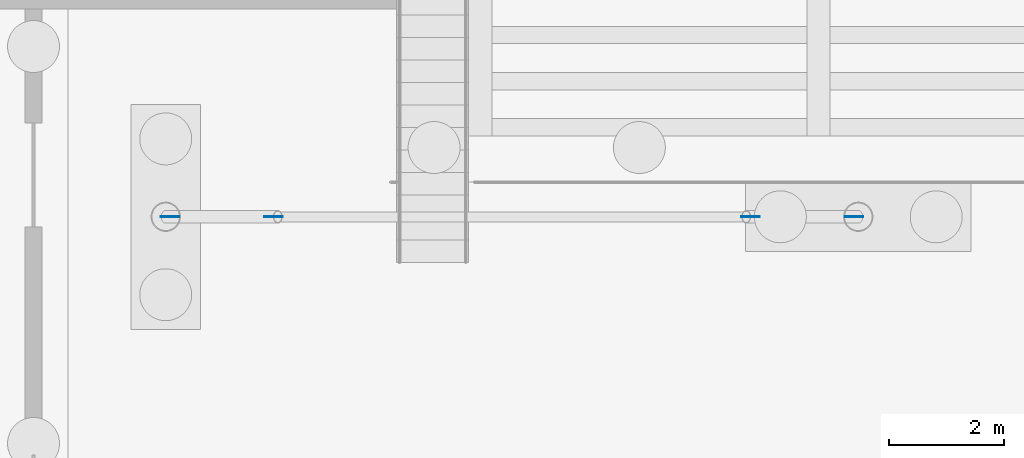
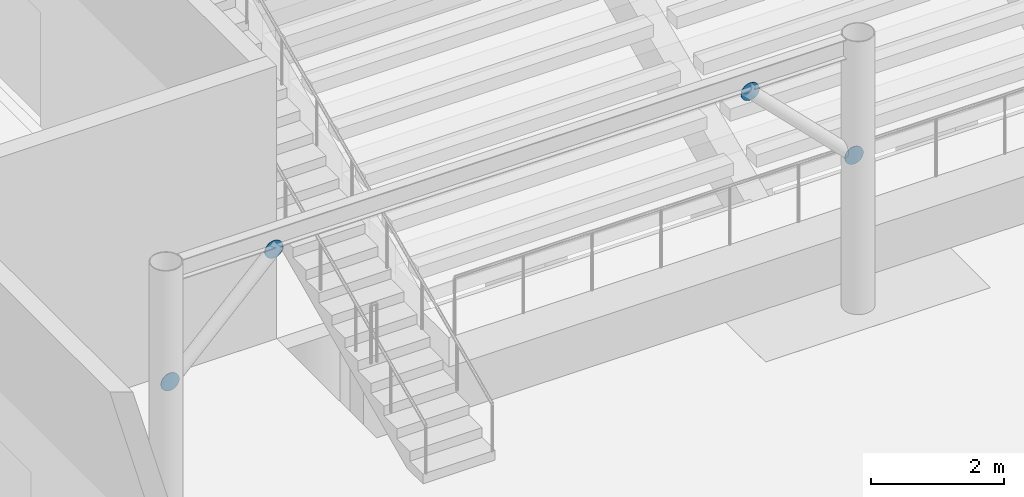
# One storey, part 116 of 157: 4 discrete accessories.
"""IFC4 building model written with IfcOpenShell, lengths in metres."""

from ifc_helpers import new_model, si_unit, direction, frame, origin, origin_2d, place, context, subcontext, project, spatial, circle, extrude, material, layer, layer_set, type_object, element, save


model = new_model("IFC4")

# Units and contexts
model_context = context("Model", 3, precision=1e-05, world=origin(), true_north=direction((0.0, 1.0)))
body_context = subcontext(model_context, "Body", "Model", "MODEL_VIEW")
ifc_project = project(units=[si_unit("LENGTHUNIT", "METRE"), si_unit("AREAUNIT", "SQUARE_METRE"), si_unit("VOLUMEUNIT", "CUBIC_METRE"), si_unit("PLANEANGLEUNIT", "RADIAN"), si_unit("MASSUNIT", "GRAM", prefix="KILO")], contexts=[model_context])

# Site, building, storey
site_placement = place(None, origin())
site = spatial("IfcSite", under=ifc_project, at=site_placement, CompositionType="ELEMENT")
building_placement = place(site_placement, origin())
building = spatial("IfcBuilding", under=site, at=building_placement, Name="Windward Yard Aquatics Centre", CompositionType="ELEMENT")
storey_placement = place(building_placement, origin())
storey = spatial("IfcBuildingStorey", under=building, at=storey_placement, Name="L00", CompositionType="ELEMENT", Elevation=0.0)

# Discrete accessories
ifc_material = material(Name="Steel S355", Category="steel")
ifc_layer = layer(ifc_material, 0.011962890625)
ifc_layer_set = layer_set([ifc_layer], Name="Gusset plate 320 mm disc 12 mm")
discrete_accessory_type = type_object("IfcDiscreteAccessoryType", Name="Gusset plate 320 mm disc 12 mm", PredefinedType="USERDEFINED", material=ifc_layer_set)
for number, where, z_axis, x_axis, name in (
    (1, (60.07080078125, 80.39404296875, 2.770751953125), (0.0, 1.0, 0.0), (-1.0, 0.0, 0.0), "Gusset plate"),
    (2, (61.871337890625, 80.39404296875, 4.5712890625), (0.0, 1.0, 0.0), (-1.0, 0.0, 0.0), "Gusset plate"),
    (3, (71.92919921875, 80.39404296875, 2.770751953125), (0.0, 1.0, 0.0), (-1.0, 0.0, 0.0), "Gusset plate"),
    (4, (70.128662109375, 80.39404296875, 4.5712890625), (0.0, 1.0, 0.0), (-1.0, 0.0, 0.0), "Gusset plate"),
):
    element("IfcDiscreteAccessory", number, at=place(storey_placement, frame(where, z_axis=z_axis, x_axis=x_axis)), inside=storey, type_object=discrete_accessory_type, Name=name, ObjectType="GUSSET PLATE", PredefinedType="USERDEFINED", context=body_context, shape_type="SweptSolid", body=[
        extrude(circle(Radius=0.159912109375, at=origin_2d()), origin(), (0.0, 0.0, 1.0), 0.011962890625),
    ])

save(model, "model.ifc")
